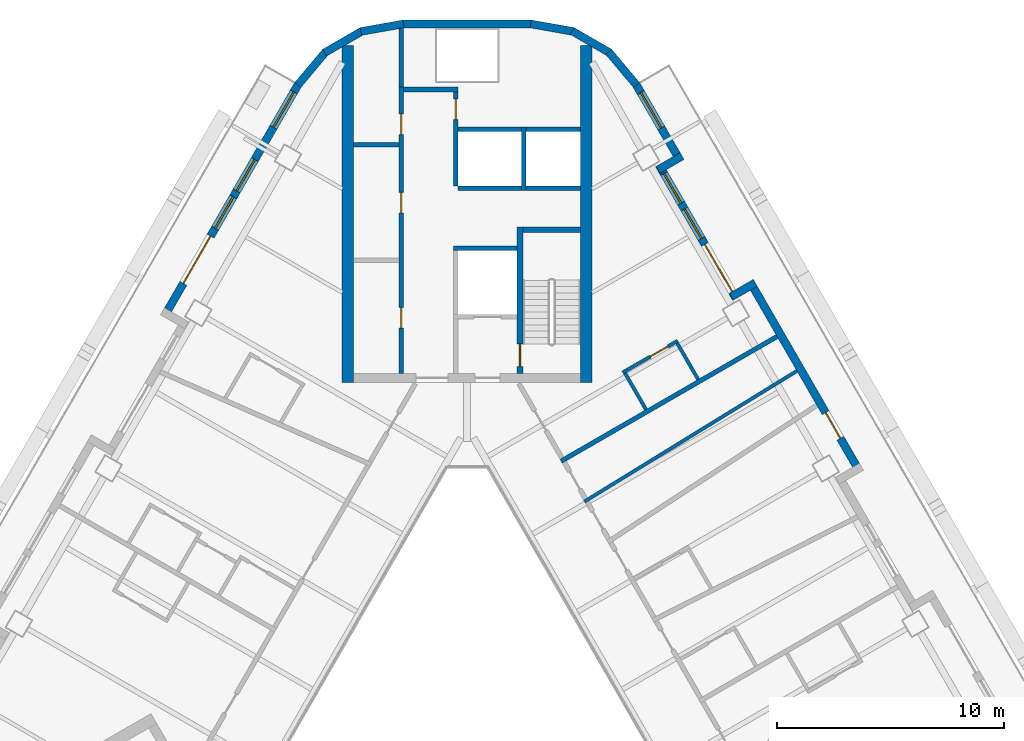
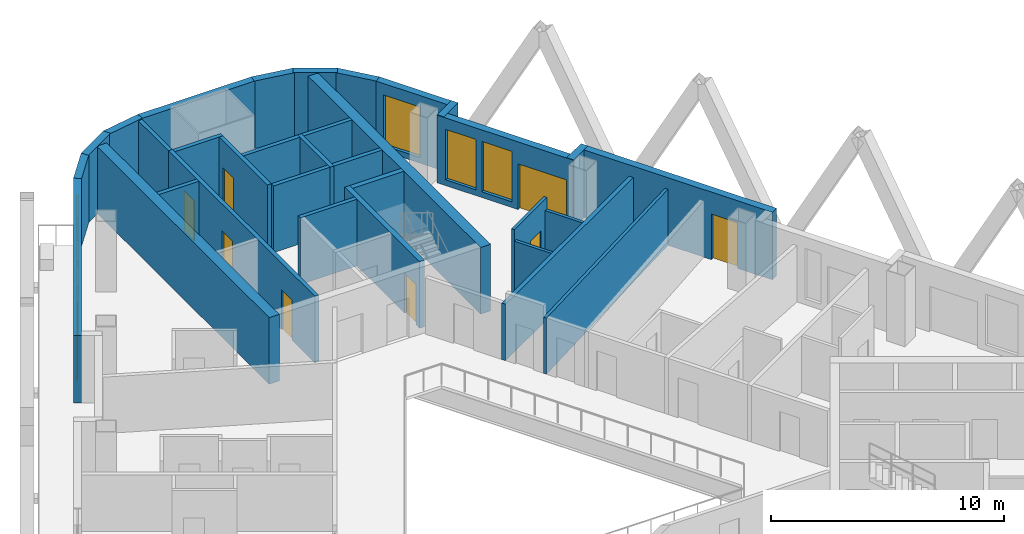
# One storey, part 7 of 14: 33 walls, 9 doors, 6 windows, 15 openings.
"""IFC4 building model written with IfcOpenShell, lengths in metres."""

from ifc_helpers import new_model, si_unit, direction, frame, frame_2d, origin, place, context, subcontext, project, spatial, rectangle, extrude, material, layer, layer_set, type_object, element, fill, save


model = new_model("IFC4")

# Units and contexts
model_context = context("Model", 3, precision=1e-05, world=origin(), true_north=direction((0.0, 1.0)))
body_context = subcontext(model_context, "Body", "Model", "MODEL_VIEW")
ifc_project = project(units=[si_unit("LENGTHUNIT", "METRE"), si_unit("AREAUNIT", "SQUARE_METRE"), si_unit("VOLUMEUNIT", "CUBIC_METRE"), si_unit("PLANEANGLEUNIT", "RADIAN"), si_unit("MASSUNIT", "GRAM", prefix="KILO")], contexts=[model_context])

# Site, building, storey
site_placement = place(None, origin())
site = spatial("IfcSite", under=ifc_project, at=site_placement, CompositionType="ELEMENT")
building_placement = place(site_placement, origin())
building = spatial("IfcBuilding", under=site, at=building_placement, Name="Apuvela Tower Hotel", CompositionType="ELEMENT")
storey_placement = place(building_placement, frame((0.0, 0.0, 120.5)))
storey = spatial("IfcBuildingStorey", under=building, at=storey_placement, Name="L28", CompositionType="ELEMENT", Elevation=120.5)

# Walls
ifc_material_1 = material(Name="Concrete C50/60", Category="concrete")
ifc_layer_1 = layer(ifc_material_1, 0.5)
ifc_layer_set_1 = layer_set([ifc_layer_1], Name="COR-WALL-CORE-500")
wall_type_1 = type_object("IfcWallType", Name="COR-WALL-CORE-500", PredefinedType="SHEAR", material=ifc_layer_set_1)
for number, where, z_axis, x_axis, name in (
    (1, (5.25, 12.89990234375, 0.0), (0.0, 0.0, 1.0), (0.0, 1.0, 0.0), "Core wall N"),
    (2, (-5.25, 12.89990234375, 0.0), (0.0, 0.0, 1.0), (0.0, 1.0, 0.0), "Core wall N"),
):
    element("IfcWall", number, at=place(storey_placement, frame(where, z_axis=z_axis, x_axis=x_axis)), inside=storey, type_object=wall_type_1, Name=name, PredefinedType="SHEAR", context=body_context, shape_type="SweptSolid", body=[
        extrude(rectangle(XDim=14.8369140625, YDim=0.5, at=frame_2d((7.41845703125, 0.0))), origin(), (0.0, 0.0, 1.0), 3.5),
    ])
ifc_material_2 = material(Name="Blockwork 200 mm plastered", Category="masonry")
ifc_layer_2 = layer(ifc_material_2, 0.199951171875)
ifc_layer_set_2 = layer_set([ifc_layer_2], Name="COR-WALL-PART-200")
wall_type_2 = type_object("IfcWallType", Name="COR-WALL-PART-200", PredefinedType="PARTITIONING", material=ifc_layer_set_2)
wall_1_placement = place(storey_placement, frame((5.0, 21.449951171875, 0.0), z_axis=(0.0, 0.0, 1.0), x_axis=(-1.0, 0.0, 0.0)))
element("IfcWall", 3, at=wall_1_placement, inside=storey, type_object=wall_type_2, Name="Partition N", PredefinedType="PARTITIONING", context=body_context, shape_type="SweptSolid", body=[
    extrude(rectangle(XDim=2.39990234375, YDim=0.199951171875, at=frame_2d((1.199951171875, 0.0))), origin(), (0.0, 0.0, 1.0), 3.5),
])
wall_2_placement = place(storey_placement, frame((2.39990234375, 21.449951171875, 0.0), z_axis=(0.0, 0.0, 1.0), x_axis=(-1.0, 0.0, 0.0)))
element("IfcWall", 4, at=wall_2_placement, inside=storey, type_object=wall_type_2, Name="Partition N", PredefinedType="PARTITIONING", context=body_context, shape_type="SweptSolid", body=[
    extrude(rectangle(XDim=2.7998046875, YDim=0.199951171875, at=frame_2d((1.39990234375, 0.0))), origin(), (0.0, 0.0, 1.0), 3.5),
])
ifc_layer_3 = layer(ifc_material_1, 0.199951171875)
ifc_layer_set_3 = layer_set([ifc_layer_3], Name="COR-WALL-SHAFT-200")
wall_type_3 = type_object("IfcWallType", Name="COR-WALL-SHAFT-200", PredefinedType="SHEAR", material=ifc_layer_set_3)
wall_3_placement = place(storey_placement, frame((2.199951171875, 18.800048828125, 0.0), z_axis=(0.0, 0.0, 1.0), x_axis=(-1.0, 0.0, 0.0)))
element("IfcWall", 5, at=wall_3_placement, inside=storey, type_object=wall_type_3, Name="Shaft wall N", PredefinedType="SHEAR", context=body_context, shape_type="SweptSolid", body=[
    extrude(rectangle(XDim=2.800048828125, YDim=0.199951171875, at=frame_2d((1.39990234375, 0.0))), origin(), (0.0, 0.0, 1.0), 3.5),
])

# Wall, openings, doors
wall_4_placement = place(storey_placement, frame((-2.89990234375, 13.300048828125, 0.0), z_axis=(0.0, 0.0, 1.0), x_axis=(0.0, 1.0, 0.0)))
wall_4 = element("IfcWall", 6, at=wall_4_placement, inside=storey, type_object=wall_type_3, Name="Shaft wall N", PredefinedType="SHEAR", context=body_context, shape_type="SweptSolid", body=[
    extrude(rectangle(XDim=12.599853515625, YDim=0.199951171875, at=frame_2d((6.2998046875, 0.0))), origin(), (0.0, 0.0, 1.0), 3.5),
])
opening_1_placement = place(wall_4_placement, frame((1.989990234375, 0.0, 0.0)))
opening_1 = element("IfcOpeningElement", 7, at=opening_1_placement, cuts=wall_4, Name="Opening N-RE1", PredefinedType="OPENING", context=body_context, shape_type="SweptSolid", body=[
    extrude(rectangle(XDim=0.89990234375, YDim=2.10009765625, at=frame_2d((0.449951171875, 1.050048828125))), frame((0.0, 0.10986328125, 0.0), z_axis=(0.0, -1.0, 0.0), x_axis=(1.0, 0.0, 0.0)), (0.0, 0.0, 1.0), 0.219970703125),
])
opening_2_placement = place(wall_4_placement, frame((7.070068359375, 0.0, 0.0)))
opening_2 = element("IfcOpeningElement", 8, at=opening_2_placement, cuts=wall_4, Name="Opening N-RE3", PredefinedType="OPENING", context=body_context, shape_type="SweptSolid", body=[
    extrude(rectangle(XDim=0.89990234375, YDim=2.10009765625, at=frame_2d((0.449951171875, 1.050048828125))), frame((0.0, 0.10986328125, 0.0), z_axis=(0.0, -1.0, 0.0), x_axis=(1.0, 0.0, 0.0)), (0.0, 0.0, 1.0), 0.219970703125),
])
opening_3_placement = place(wall_4_placement, frame((10.510009765625, 0.0, 0.0)))
opening_3 = element("IfcOpeningElement", 9, at=opening_3_placement, cuts=wall_4, Name="Opening N-REP", PredefinedType="OPENING", context=body_context, shape_type="SweptSolid", body=[
    extrude(rectangle(XDim=0.89990234375, YDim=2.10009765625, at=frame_2d((0.449951171875, 1.050048828125))), frame((0.0, 0.10986328125, 0.0), z_axis=(0.0, -1.0, 0.0), x_axis=(1.0, 0.0, 0.0)), (0.0, 0.0, 1.0), 0.219970703125),
])
ifc_material_3 = material(Name="Steel fire door, powder coated", Category="steel")
door_type_1 = type_object("IfcDoorType", Name="COR-DR-900", OperationType="NOTDEFINED", PredefinedType="DOOR", material=ifc_material_3)
door_1_placement = place(opening_1_placement, origin())
door_1 = element("IfcDoor", 10, at=door_1_placement, inside=storey, type_object=door_type_1, Name="Store door N-RE1", OperationType="SINGLE_SWING_LEFT", OverallHeight=2.10009765625, OverallWidth=0.89990234375, PredefinedType="DOOR", context=body_context, shape_type="SweptSolid", body=[
    extrude(rectangle(XDim=0.89990234375, YDim=2.10009765625, at=frame_2d((0.449951171875, 1.050048828125))), frame((0.0, 0.02490234375, 0.0), z_axis=(0.0, -1.0, 0.0), x_axis=(1.0, 0.0, 0.0)), (0.0, 0.0, 1.0), 0.050048828125),
])
fill(opening_1, door_1)
door_2_placement = place(opening_2_placement, origin())
door_2 = element("IfcDoor", 11, at=door_2_placement, inside=storey, type_object=door_type_1, Name="Store door N-RE3", OperationType="SINGLE_SWING_LEFT", OverallHeight=2.10009765625, OverallWidth=0.89990234375, PredefinedType="DOOR", context=body_context, shape_type="SweptSolid", body=[
    extrude(rectangle(XDim=0.89990234375, YDim=2.10009765625, at=frame_2d((0.449951171875, 1.050048828125))), frame((0.0, 0.02490234375, 0.0), z_axis=(0.0, -1.0, 0.0), x_axis=(1.0, 0.0, 0.0)), (0.0, 0.0, 1.0), 0.050048828125),
])
fill(opening_2, door_2)
door_3_placement = place(opening_3_placement, origin())
door_3 = element("IfcDoor", 12, at=door_3_placement, inside=storey, type_object=door_type_1, Name="Store door N-REP", OperationType="SINGLE_SWING_RIGHT", OverallHeight=2.10009765625, OverallWidth=0.89990234375, PredefinedType="DOOR", context=body_context, shape_type="SweptSolid", body=[
    extrude(rectangle(XDim=0.89990234375, YDim=2.10009765625, at=frame_2d((0.449951171875, 1.050048828125))), frame((0.0, 0.02490234375, 0.0), z_axis=(0.0, -1.0, 0.0), x_axis=(1.0, 0.0, 0.0)), (0.0, 0.0, 1.0), 0.050048828125),
])
fill(opening_3, door_3)

# Wall
wall_5_placement = place(storey_placement, frame((-0.39990234375, 25.800048828125, 0.0), z_axis=(0.0, 0.0, 1.0), x_axis=(-1.0, 0.0, 0.0)))
element("IfcWall", 13, at=wall_5_placement, inside=storey, type_object=wall_type_3, Name="Shaft wall N", PredefinedType="SHEAR", context=body_context, shape_type="SweptSolid", body=[
    extrude(rectangle(XDim=2.400146484375, YDim=0.199951171875, at=frame_2d((1.2001953125, 0.0))), origin(), (0.0, 0.0, 1.0), 3.5),
])

# Wall, opening, door
wall_6_placement = place(storey_placement, frame((-0.5, 21.550048828125, 0.0), z_axis=(0.0, 0.0, 1.0), x_axis=(0.0, 1.0, 0.0)))
wall_6 = element("IfcWall", 14, at=wall_6_placement, inside=storey, type_object=wall_type_3, Name="Shaft wall N", PredefinedType="SHEAR", context=body_context, shape_type="SweptSolid", body=[
    extrude(rectangle(XDim=4.14990234375, YDim=0.199951171875, at=frame_2d((2.074951171875, 0.0))), origin(), (0.0, 0.0, 1.0), 3.5),
])
opening_4_placement = place(wall_6_placement, frame((2.925048828125, 0.0, 0.0)))
opening_4 = element("IfcOpeningElement", 15, at=opening_4_placement, cuts=wall_6, Name="Opening N-RSP", PredefinedType="OPENING", context=body_context, shape_type="SweptSolid", body=[
    extrude(rectangle(XDim=0.89990234375, YDim=2.10009765625, at=frame_2d((0.449951171875, 1.050048828125))), frame((0.0, 0.10986328125, 0.0), z_axis=(0.0, -1.0, 0.0), x_axis=(1.0, 0.0, 0.0)), (0.0, 0.0, 1.0), 0.219970703125),
])
door_4_placement = place(opening_4_placement, frame((0.89990234375, 0.0, 0.0), z_axis=(0.0, 0.0, 1.0), x_axis=(-1.0, 0.0, 0.0)))
door_4 = element("IfcDoor", 16, at=door_4_placement, inside=storey, type_object=door_type_1, Name="Store door N-RSP", OperationType="SINGLE_SWING_LEFT", OverallHeight=2.10009765625, OverallWidth=0.89990234375, PredefinedType="DOOR", context=body_context, shape_type="SweptSolid", body=[
    extrude(rectangle(XDim=0.89990234375, YDim=2.10009765625, at=frame_2d((0.449951171875, 1.050048828125))), frame((0.0, 0.02490234375, 0.0), z_axis=(0.0, -1.0, 0.0), x_axis=(1.0, 0.0, 0.0)), (0.0, 0.0, 1.0), 0.050048828125),
])
fill(opening_4, door_4)

# Walls
wall_7_placement = place(storey_placement, frame((-3.0, 23.360107421875, 0.0), z_axis=(0.0, 0.0, 1.0), x_axis=(-1.0, 0.0, 0.0)))
element("IfcWall", 17, at=wall_7_placement, inside=storey, type_object=wall_type_3, Name="Shaft wall N", PredefinedType="SHEAR", context=body_context, shape_type="SweptSolid", body=[
    extrude(rectangle(XDim=2.0, YDim=0.199951171875, at=frame_2d((1.0, 0.0))), origin(), (0.0, 0.0, 1.0), 3.5),
])
wall_8_placement = place(storey_placement, frame((-2.89990234375, 25.89990234375, 0.0), z_axis=(0.0, 0.0, 1.0), x_axis=(0.0, 1.0, 0.0)))
element("IfcWall", 18, at=wall_8_placement, inside=storey, type_object=wall_type_3, Name="Shaft wall N", PredefinedType="SHEAR", context=body_context, shape_type="SweptSolid", body=[
    extrude(rectangle(XDim=2.60009765625, YDim=0.199951171875, at=frame_2d((1.300048828125, 0.0))), origin(), (0.0, 0.0, 1.0), 3.5),
])
wall_9_placement = place(storey_placement, frame((2.5, 21.35009765625, 0.0), z_axis=(0.0, 0.0, 1.0), x_axis=(0.0, 1.0, 0.0)))
element("IfcWall", 19, at=wall_9_placement, inside=storey, type_object=wall_type_3, Name="Shaft wall N", PredefinedType="SHEAR", context=body_context, shape_type="SweptSolid", body=[
    extrude(rectangle(XDim=2.7998046875, YDim=0.199951171875, at=frame_2d((1.39990234375, 0.0))), origin(), (0.0, 0.0, 1.0), 3.5),
])
wall_10_placement = place(storey_placement, frame((5.0, 24.050048828125, 0.0), z_axis=(0.0, 0.0, 1.0), x_axis=(-1.0, 0.0, 0.0)))
element("IfcWall", 20, at=wall_10_placement, inside=storey, type_object=wall_type_3, Name="Shaft wall N", PredefinedType="SHEAR", context=body_context, shape_type="SweptSolid", body=[
    extrude(rectangle(XDim=2.39990234375, YDim=0.199951171875, at=frame_2d((1.199951171875, 0.0))), origin(), (0.0, 0.0, 1.0), 3.5),
])
wall_11_placement = place(storey_placement, frame((2.39990234375, 24.050048828125, 0.0), z_axis=(0.0, 0.0, 1.0), x_axis=(-1.0, 0.0, 0.0)))
element("IfcWall", 21, at=wall_11_placement, inside=storey, type_object=wall_type_3, Name="Shaft wall N", PredefinedType="SHEAR", context=body_context, shape_type="SweptSolid", body=[
    extrude(rectangle(XDim=2.7998046875, YDim=0.199951171875, at=frame_2d((1.39990234375, 0.0))), origin(), (0.0, 0.0, 1.0), 3.5),
])

# Wall, opening, door
ifc_layer_4 = layer(ifc_material_1, 0.25)
ifc_layer_set_4 = layer_set([ifc_layer_4], Name="COR-WALL-STAIR-250")
wall_type_4 = type_object("IfcWallType", Name="COR-WALL-STAIR-250", PredefinedType="SHEAR", material=ifc_layer_set_4)
wall_12_placement = place(storey_placement, frame((2.324951171875, 13.300048828125, 0.0), z_axis=(0.0, 0.0, 1.0), x_axis=(0.0, 1.0, 0.0)))
wall_12 = element("IfcWall", 22, at=wall_12_placement, inside=storey, type_object=wall_type_4, Name="Stair wall N", PredefinedType="SHEAR", context=body_context, shape_type="SweptSolid", body=[
    extrude(rectangle(XDim=6.449951171875, YDim=0.25, at=frame_2d((3.22509765625, 0.0))), origin(), (0.0, 0.0, 1.0), 3.5),
])
opening_5_placement = place(wall_12_placement, frame((0.300048828125, 0.0, 0.0)))
opening_5 = element("IfcOpeningElement", 23, at=opening_5_placement, cuts=wall_12, Name="Opening N-SD", PredefinedType="OPENING", context=body_context, shape_type="SweptSolid", body=[
    extrude(rectangle(XDim=1.0, YDim=2.10009765625, at=frame_2d((0.5, 1.050048828125))), frame((0.0, 0.135009765625, 0.0), z_axis=(0.0, -1.0, 0.0), x_axis=(1.0, 0.0, 0.0)), (0.0, 0.0, 1.0), 0.27001953125),
])
door_type_2 = type_object("IfcDoorType", Name="COR-SD-1000", OperationType="NOTDEFINED", PredefinedType="DOOR", material=ifc_material_3)
door_5_placement = place(opening_5_placement, frame((1.0, 0.0, 0.0), z_axis=(0.0, 0.0, 1.0), x_axis=(-1.0, 0.0, 0.0)))
door_5 = element("IfcDoor", 24, at=door_5_placement, inside=storey, type_object=door_type_2, Name="Stair door N-SD", OperationType="SINGLE_SWING_LEFT", OverallHeight=2.10009765625, OverallWidth=1.0, PredefinedType="DOOR", context=body_context, shape_type="SweptSolid", body=[
    extrude(rectangle(XDim=1.0, YDim=2.10009765625, at=frame_2d((0.5, 1.050048828125))), frame((0.0, 0.02490234375, 0.0), z_axis=(0.0, -1.0, 0.0), x_axis=(1.0, 0.0, 0.0)), (0.0, 0.0, 1.0), 0.050048828125),
])
fill(opening_5, door_5)

# Wall
wall_13_placement = place(storey_placement, frame((5.0, 19.625, 0.0), z_axis=(0.0, 0.0, 1.0), x_axis=(-1.0, 0.0, 0.0)))
element("IfcWall", 25, at=wall_13_placement, inside=storey, type_object=wall_type_4, Name="Stair wall N", PredefinedType="SHEAR", context=body_context, shape_type="SweptSolid", body=[
    extrude(rectangle(XDim=2.550048828125, YDim=0.25, at=frame_2d((1.27490234375, 0.0))), origin(), (0.0, 0.0, 1.0), 3.5),
])

# Wall, openings, door, windows
ifc_material_4 = material(Name="Concrete C40/50, dark pigmented precast panel", Category="concrete")
ifc_layer_5 = layer(ifc_material_4, 0.35009765625)
ifc_layer_set_5 = layer_set([ifc_layer_5], Name="ENV-WALL-350")
wall_type_5 = type_object("IfcWallType", Name="ENV-WALL-350", PredefinedType="SOLIDWALL", material=ifc_layer_set_5)
wall_14_placement = place(storey_placement, frame((-7.440673828125, 26.0224609375, 0.0), z_axis=(0.0, 0.0, 1.0), x_axis=(-0.499992533062, -0.86602971478, 0.0)))
wall_14 = element("IfcWall", 26, at=wall_14_placement, inside=storey, type_object=wall_type_5, Name="External wall L28-01", PredefinedType="SOLIDWALL", context=body_context, shape_type="SweptSolid", body=[
    extrude(rectangle(XDim=11.815673828125, YDim=0.35009765625, at=frame_2d((5.90771484375, 0.0))), origin(), (0.0, 0.0, 1.0), 3.550048828125),
])
opening_6_placement = place(wall_14_placement, frame((0.381103515625, 0.0, 0.300048828125)))
opening_6 = element("IfcOpeningElement", 27, at=opening_6_placement, cuts=wall_14, Name="Opening WN18", PredefinedType="OPENING", context=body_context, shape_type="SweptSolid", body=[
    extrude(rectangle(XDim=1.800048828125, YDim=2.64990234375, at=frame_2d((0.89990234375, 1.324951171875))), frame((0.0, 0.18505859375, 0.0), z_axis=(0.0, -1.0, 0.0), x_axis=(1.0, 0.0, 0.0)), (0.0, 0.0, 1.0), 0.3701171875),
])
opening_7_placement = place(wall_14_placement, frame((7.7158203125, 0.0, 0.0)))
opening_7 = element("IfcOpeningElement", 28, at=opening_7_placement, cuts=wall_14, Name="Opening BD24", PredefinedType="OPENING", context=body_context, shape_type="SweptSolid", body=[
    extrude(rectangle(XDim=2.39990234375, YDim=2.39990234375, at=frame_2d((1.199951171875, 1.199951171875))), frame((0.0, 0.18505859375, 0.0), z_axis=(0.0, -1.0, 0.0), x_axis=(1.0, 0.0, 0.0)), (0.0, 0.0, 1.0), 0.3701171875),
])
opening_8_placement = place(wall_14_placement, frame((3.815185546875, 0.0, 0.300048828125)))
opening_8 = element("IfcOpeningElement", 29, at=opening_8_placement, cuts=wall_14, Name="Opening WN16", PredefinedType="OPENING", context=body_context, shape_type="SweptSolid", body=[
    extrude(rectangle(XDim=1.60009765625, YDim=2.64990234375, at=frame_2d((0.800048828125, 1.324951171875))), frame((0.0, 0.18505859375, 0.0), z_axis=(0.0, -1.0, 0.0), x_axis=(1.0, 0.0, 0.0)), (0.0, 0.0, 1.0), 0.3701171875),
])
opening_9_placement = place(wall_14_placement, frame((5.715087890625, 0.0, 0.300048828125)))
opening_9 = element("IfcOpeningElement", 30, at=opening_9_placement, cuts=wall_14, Name="Opening WN16", PredefinedType="OPENING", context=body_context, shape_type="SweptSolid", body=[
    extrude(rectangle(XDim=1.60009765625, YDim=2.64990234375, at=frame_2d((0.800048828125, 1.324951171875))), frame((0.0, 0.18505859375, 0.0), z_axis=(0.0, -1.0, 0.0), x_axis=(1.0, 0.0, 0.0)), (0.0, 0.0, 1.0), 0.3701171875),
])
ifc_material_5 = material(Name="Aluminium 6063-T6, dark bronze anodised frame with dark tinted laminated glass", Category="aluminium")
door_type_3 = type_object("IfcDoorType", Name="ENV-DOOR-BALCONY-2400x2400", OperationType="SLIDING_TO_LEFT", PredefinedType="DOOR", material=ifc_material_5)
door_6_placement = place(opening_7_placement, frame((2.39990234375, 0.0, 0.0), z_axis=(0.0, 0.0, 1.0), x_axis=(-1.0, 0.0, 0.0)))
door_6 = element("IfcDoor", 31, at=door_6_placement, inside=storey, type_object=door_type_3, Name="Balcony door BD24", OperationType="SLIDING_TO_LEFT", OverallHeight=2.39990234375, OverallWidth=2.39990234375, PredefinedType="DOOR", context=body_context, shape_type="SweptSolid", body=[
    extrude(rectangle(XDim=2.39990234375, YDim=2.39990234375, at=frame_2d((1.199951171875, 1.199951171875))), frame((0.0, 0.02490234375, 0.0), z_axis=(0.0, -1.0, 0.0), x_axis=(1.0, 0.0, 0.0)), (0.0, 0.0, 1.0), 0.050048828125),
])
fill(opening_7, door_6)
ifc_material_6 = material(Name="Glass, dark tinted laminated insulated glazing unit", Category="glass")
window_type_1 = type_object("IfcWindowType", Name="ENV-WIN-1600x2650", PartitioningType="SINGLE_PANEL", PredefinedType="WINDOW", material=ifc_material_6)
window_1_placement = place(opening_8_placement, origin())
window_1 = element("IfcWindow", 32, at=window_1_placement, inside=storey, type_object=window_type_1, Name="Window WN16", OverallHeight=2.64990234375, OverallWidth=1.60009765625, PartitioningType="SINGLE_PANEL", PredefinedType="WINDOW", context=body_context, shape_type="SweptSolid", body=[
    extrude(rectangle(XDim=1.60009765625, YDim=2.64990234375, at=frame_2d((0.800048828125, 1.324951171875))), frame((0.0, 0.030029296875, 0.0), z_axis=(0.0, -1.0, 0.0), x_axis=(1.0, 0.0, 0.0)), (0.0, 0.0, 1.0), 0.06005859375),
])
fill(opening_8, window_1)
window_2_placement = place(opening_9_placement, origin())
window_2 = element("IfcWindow", 33, at=window_2_placement, inside=storey, type_object=window_type_1, Name="Window WN16", OverallHeight=2.64990234375, OverallWidth=1.60009765625, PartitioningType="SINGLE_PANEL", PredefinedType="WINDOW", context=body_context, shape_type="SweptSolid", body=[
    extrude(rectangle(XDim=1.60009765625, YDim=2.64990234375, at=frame_2d((0.800048828125, 1.324951171875))), frame((0.0, 0.030029296875, 0.0), z_axis=(0.0, -1.0, 0.0), x_axis=(1.0, 0.0, 0.0)), (0.0, 0.0, 1.0), 0.06005859375),
])
fill(opening_9, window_2)
window_type_2 = type_object("IfcWindowType", Name="ENV-WIN-1800x2650", PartitioningType="SINGLE_PANEL", PredefinedType="WINDOW", material=ifc_material_6)
window_3_placement = place(opening_6_placement, origin())
window_3 = element("IfcWindow", 34, at=window_3_placement, inside=storey, type_object=window_type_2, Name="Window WN18", OverallHeight=2.64990234375, OverallWidth=1.800048828125, PartitioningType="SINGLE_PANEL", PredefinedType="WINDOW", context=body_context, shape_type="SweptSolid", body=[
    extrude(rectangle(XDim=1.800048828125, YDim=2.64990234375, at=frame_2d((0.89990234375, 1.324951171875))), frame((0.0, 0.030029296875, 0.0), z_axis=(0.0, -1.0, 0.0), x_axis=(1.0, 0.0, 0.0)), (0.0, 0.0, 1.0), 0.06005859375),
])
fill(opening_6, window_3)

# Wall, opening, door
wall_15_placement = place(storey_placement, frame((17.298583984375, 8.947998046875, 0.0), z_axis=(0.0, 0.0, 1.0), x_axis=(-0.500010041276, 0.866019606374, 0.0)))
wall_15 = element("IfcWall", 35, at=wall_15_placement, inside=storey, type_object=wall_type_5, Name="External wall L28-37", PredefinedType="SOLIDWALL", context=body_context, shape_type="SweptSolid", body=[
    extrude(rectangle(XDim=9.699951171875, YDim=0.35009765625, at=frame_2d((4.85009765625, 0.0))), origin(), (0.0, 0.0, 1.0), 3.550048828125),
])
opening_10_placement = place(wall_15_placement, frame((1.724609375, 0.0, 0.0)))
opening_10 = element("IfcOpeningElement", 36, at=opening_10_placement, cuts=wall_15, Name="Opening BD13", PredefinedType="OPENING", context=body_context, shape_type="SweptSolid", body=[
    extrude(rectangle(XDim=1.300048828125, YDim=2.39990234375, at=frame_2d((0.64990234375, 1.199951171875))), frame((0.0, 0.18505859375, 0.0), z_axis=(0.0, -1.0, 0.0), x_axis=(1.0, 0.0, 0.0)), (0.0, 0.0, 1.0), 0.3701171875),
])
door_type_4 = type_object("IfcDoorType", Name="ENV-DOOR-BALCONY-1300x2400", OperationType="SLIDING_TO_LEFT", PredefinedType="DOOR", material=ifc_material_5)
door_7_placement = place(opening_10_placement, frame((1.300048828125, 0.0, 0.0), z_axis=(0.0, 0.0, 1.0), x_axis=(-1.0, 0.0, 0.0)))
door_7 = element("IfcDoor", 37, at=door_7_placement, inside=storey, type_object=door_type_4, Name="Balcony door BD13", OperationType="SLIDING_TO_LEFT", OverallHeight=2.39990234375, OverallWidth=1.300048828125, PredefinedType="DOOR", context=body_context, shape_type="SweptSolid", body=[
    extrude(rectangle(XDim=1.300048828125, YDim=2.39990234375, at=frame_2d((0.64990234375, 1.199951171875))), frame((0.0, 0.02490234375, 0.0), z_axis=(0.0, -1.0, 0.0), x_axis=(1.0, 0.0, 0.0)), (0.0, 0.0, 1.0), 0.050048828125),
])
fill(opening_10, door_7)

# Wall
wall_16_placement = place(storey_placement, frame((12.6875, 17.284423828125, 0.0), z_axis=(0.0, 0.0, 1.0), x_axis=(-0.865955602162, -0.500120880472, 0.0)))
element("IfcWall", 38, at=wall_16_placement, inside=storey, type_object=wall_type_5, Name="External wall L28-38", PredefinedType="SOLIDWALL", context=body_context, shape_type="SweptSolid", body=[
    extrude(rectangle(XDim=1.219970703125, YDim=0.35009765625, at=frame_2d((0.60986328125, 0.0))), origin(), (0.0, 0.0, 1.0), 3.550048828125),
])

# Wall, openings, door, windows
wall_17_placement = place(storey_placement, frame((11.8291015625, 16.621337890625, 0.0), z_axis=(0.0, 0.0, 1.0), x_axis=(-0.500003597184, 0.866023326939, 0.0)))
wall_17 = element("IfcWall", 39, at=wall_17_placement, inside=storey, type_object=wall_type_5, Name="External wall L28-39", PredefinedType="SOLIDWALL", context=body_context, shape_type="SweptSolid", body=[
    extrude(rectangle(XDim=6.740234375, YDim=0.35009765625, at=frame_2d((3.3701171875, 0.0))), origin(), (0.0, 0.0, 1.0), 3.550048828125),
])
opening_11_placement = place(wall_17_placement, frame((0.320068359375, 0.0, 0.0)))
opening_11 = element("IfcOpeningElement", 40, at=opening_11_placement, cuts=wall_17, Name="Opening BD24", PredefinedType="OPENING", context=body_context, shape_type="SweptSolid", body=[
    extrude(rectangle(XDim=2.39990234375, YDim=2.39990234375, at=frame_2d((1.199951171875, 1.199951171875))), frame((0.0, 0.18505859375, 0.0), z_axis=(0.0, -1.0, 0.0), x_axis=(1.0, 0.0, 0.0)), (0.0, 0.0, 1.0), 0.3701171875),
])
opening_12_placement = place(wall_17_placement, frame((3.02001953125, 0.0, 0.300048828125)))
opening_12 = element("IfcOpeningElement", 41, at=opening_12_placement, cuts=wall_17, Name="Opening WN15", PredefinedType="OPENING", context=body_context, shape_type="SweptSolid", body=[
    extrude(rectangle(XDim=1.5, YDim=2.64990234375, at=frame_2d((0.75, 1.324951171875))), frame((0.0, 0.18505859375, 0.0), z_axis=(0.0, -1.0, 0.0), x_axis=(1.0, 0.0, 0.0)), (0.0, 0.0, 1.0), 0.3701171875),
])
opening_13_placement = place(wall_17_placement, frame((4.820068359375, 0.0, 0.300048828125)))
opening_13 = element("IfcOpeningElement", 42, at=opening_13_placement, cuts=wall_17, Name="Opening WN15", PredefinedType="OPENING", context=body_context, shape_type="SweptSolid", body=[
    extrude(rectangle(XDim=1.5, YDim=2.64990234375, at=frame_2d((0.75, 1.324951171875))), frame((0.0, 0.18505859375, 0.0), z_axis=(0.0, -1.0, 0.0), x_axis=(1.0, 0.0, 0.0)), (0.0, 0.0, 1.0), 0.3701171875),
])
door_8_placement = place(opening_11_placement, frame((2.39990234375, 0.0, 0.0), z_axis=(0.0, 0.0, 1.0), x_axis=(-1.0, 0.0, 0.0)))
door_8 = element("IfcDoor", 43, at=door_8_placement, inside=storey, type_object=door_type_3, Name="Balcony door BD24", OperationType="SLIDING_TO_LEFT", OverallHeight=2.39990234375, OverallWidth=2.39990234375, PredefinedType="DOOR", context=body_context, shape_type="SweptSolid", body=[
    extrude(rectangle(XDim=2.39990234375, YDim=2.39990234375, at=frame_2d((1.199951171875, 1.199951171875))), frame((0.0, 0.02490234375, 0.0), z_axis=(0.0, -1.0, 0.0), x_axis=(1.0, 0.0, 0.0)), (0.0, 0.0, 1.0), 0.050048828125),
])
fill(opening_11, door_8)
window_type_3 = type_object("IfcWindowType", Name="ENV-WIN-1500x2650", PartitioningType="SINGLE_PANEL", PredefinedType="WINDOW", material=ifc_material_6)
window_4_placement = place(opening_12_placement, origin())
window_4 = element("IfcWindow", 44, at=window_4_placement, inside=storey, type_object=window_type_3, Name="Window WN15", OverallHeight=2.64990234375, OverallWidth=1.5, PartitioningType="SINGLE_PANEL", PredefinedType="WINDOW", context=body_context, shape_type="SweptSolid", body=[
    extrude(rectangle(XDim=1.5, YDim=2.64990234375, at=frame_2d((0.75, 1.324951171875))), frame((0.0, 0.030029296875, 0.0), z_axis=(0.0, -1.0, 0.0), x_axis=(1.0, 0.0, 0.0)), (0.0, 0.0, 1.0), 0.06005859375),
])
fill(opening_12, window_4)
window_5_placement = place(opening_13_placement, origin())
window_5 = element("IfcWindow", 45, at=window_5_placement, inside=storey, type_object=window_type_3, Name="Window WN15", OverallHeight=2.64990234375, OverallWidth=1.5, PartitioningType="SINGLE_PANEL", PredefinedType="WINDOW", context=body_context, shape_type="SweptSolid", body=[
    extrude(rectangle(XDim=1.5, YDim=2.64990234375, at=frame_2d((0.75, 1.324951171875))), frame((0.0, 0.030029296875, 0.0), z_axis=(0.0, -1.0, 0.0), x_axis=(1.0, 0.0, 0.0)), (0.0, 0.0, 1.0), 0.06005859375),
])
fill(opening_13, window_5)

# Wall
wall_18_placement = place(storey_placement, frame((8.406005859375, 22.26025390625, 0.0), z_axis=(0.0, 0.0, 1.0), x_axis=(0.865955602162, 0.500120880472, 0.0)))
element("IfcWall", 46, at=wall_18_placement, inside=storey, type_object=wall_type_5, Name="External wall L28-40", PredefinedType="SOLIDWALL", context=body_context, shape_type="SweptSolid", body=[
    extrude(rectangle(XDim=1.219970703125, YDim=0.35009765625, at=frame_2d((0.60986328125, 0.0))), origin(), (0.0, 0.0, 1.0), 3.550048828125),
])

# Wall, opening, window
wall_19_placement = place(storey_placement, frame((9.3984375, 22.631103515625, 0.0), z_axis=(0.0, 0.0, 1.0), x_axis=(-0.499954521343, 0.866051659307, 0.0)))
wall_19 = element("IfcWall", 47, at=wall_19_placement, inside=storey, type_object=wall_type_5, Name="External wall L28-41", PredefinedType="SOLIDWALL", context=body_context, shape_type="SweptSolid", body=[
    extrude(rectangle(XDim=3.915771484375, YDim=0.35009765625, at=frame_2d((1.9580078125, 0.0))), origin(), (0.0, 0.0, 1.0), 3.550048828125),
])
opening_14_placement = place(wall_19_placement, frame((1.69970703125, 0.0, 0.300048828125)))
opening_14 = element("IfcOpeningElement", 48, at=opening_14_placement, cuts=wall_19, Name="Opening WN18", PredefinedType="OPENING", context=body_context, shape_type="SweptSolid", body=[
    extrude(rectangle(XDim=1.800048828125, YDim=2.64990234375, at=frame_2d((0.89990234375, 1.324951171875))), frame((0.0, 0.18505859375, 0.0), z_axis=(0.0, -1.0, 0.0), x_axis=(1.0, 0.0, 0.0)), (0.0, 0.0, 1.0), 0.3701171875),
])
window_6_placement = place(opening_14_placement, origin())
window_6 = element("IfcWindow", 49, at=window_6_placement, inside=storey, type_object=window_type_2, Name="Window WN18", OverallHeight=2.64990234375, OverallWidth=1.800048828125, PartitioningType="SINGLE_PANEL", PredefinedType="WINDOW", context=body_context, shape_type="SweptSolid", body=[
    extrude(rectangle(XDim=1.800048828125, YDim=2.64990234375, at=frame_2d((0.89990234375, 1.324951171875))), frame((0.0, 0.030029296875, 0.0), z_axis=(0.0, -1.0, 0.0), x_axis=(1.0, 0.0, 0.0)), (0.0, 0.0, 1.0), 0.06005859375),
])
fill(opening_14, window_6)

# Walls
wall_20_placement = place(storey_placement, frame((7.4580078125, 25.99755859375, 0.0), z_axis=(0.0, 0.0, 1.0), x_axis=(-0.642808304945, 0.766027077259, 0.0)))
element("IfcWall", 50, at=wall_20_placement, inside=storey, type_object=wall_type_5, Name="External wall L28-42", PredefinedType="SOLIDWALL", context=body_context, shape_type="SweptSolid", body=[
    extrude(rectangle(XDim=1.909912109375, YDim=0.35009765625, at=frame_2d((0.955078125, 0.0))), origin(), (0.0, 0.0, 1.0), 3.550048828125),
])
for number, where, z_axis, x_axis, name in (
    (51, (6.27685546875, 27.421630859375, 0.0), (0.0, 0.0, 1.0), (-0.866032345022, 0.499987977232, 0.0), "External wall L28-43"),
    (52, (4.6796875, 28.35595703125, 0.0), (0.0, 0.0, 1.0), (-0.984798995425, 0.173697837091, 0.0), "External wall L28-44"),
):
    element("IfcWall", number, at=place(storey_placement, frame(where, z_axis=z_axis, x_axis=x_axis)), inside=storey, type_object=wall_type_5, Name=name, PredefinedType="SOLIDWALL", context=body_context, shape_type="SweptSolid", body=[
        extrude(rectangle(XDim=1.91015625, YDim=0.35009765625, at=frame_2d((0.955078125, 0.0))), origin(), (0.0, 0.0, 1.0), 3.550048828125),
    ])
wall_21_placement = place(storey_placement, frame((2.8291015625, 28.68505859375, 0.0), z_axis=(0.0, 0.0, 1.0), x_axis=(-1.0, 0.0, 0.0)))
element("IfcWall", 53, at=wall_21_placement, inside=storey, type_object=wall_type_5, Name="External wall L28-45", PredefinedType="SOLIDWALL", context=body_context, shape_type="SweptSolid", body=[
    extrude(rectangle(XDim=5.658203125, YDim=0.35009765625, at=frame_2d((2.8291015625, 0.0))), origin(), (0.0, 0.0, 1.0), 3.550048828125),
])
for number, where, z_axis, x_axis, name in (
    (54, (-2.798583984375, 28.687744140625, 0.0), (0.0, 0.0, 1.0), (-0.984798995425, -0.173697837091, 0.0), "External wall L28-46"),
    (55, (-4.62255859375, 28.376708984375, 0.0), (0.0, 0.0, 1.0), (-0.866032345022, -0.499987977232, 0.0), "External wall L28-47"),
):
    element("IfcWall", number, at=place(storey_placement, frame(where, z_axis=z_axis, x_axis=x_axis)), inside=storey, type_object=wall_type_5, Name=name, PredefinedType="SOLIDWALL", context=body_context, shape_type="SweptSolid", body=[
        extrude(rectangle(XDim=1.91015625, YDim=0.35009765625, at=frame_2d((0.955078125, 0.0))), origin(), (0.0, 0.0, 1.0), 3.550048828125),
    ])
wall_22_placement = place(storey_placement, frame((-6.230224609375, 27.460693359375, 0.0), z_axis=(0.0, 0.0, 1.0), x_axis=(-0.642808304945, -0.766027077259, 0.0)))
element("IfcWall", 56, at=wall_22_placement, inside=storey, type_object=wall_type_5, Name="External wall L28-48", PredefinedType="SOLIDWALL", context=body_context, shape_type="SweptSolid", body=[
    extrude(rectangle(XDim=1.909912109375, YDim=0.35009765625, at=frame_2d((0.955078125, 0.0))), origin(), (0.0, 0.0, 1.0), 3.550048828125),
])
ifc_material_7 = material(Name="Gypsum board partition on twin steel stud", Category="steel")
ifc_layer_6 = layer(ifc_material_7, 0.199951171875)
ifc_layer_set_6 = layer_set([ifc_layer_6], Name="GST-PW1")
wall_type_6 = type_object("IfcWallType", Name="GST-PW1", PredefinedType="PARTITIONING", material=ifc_layer_set_6)
wall_23_placement = place(storey_placement, frame((13.64697265625, 14.9228515625, 0.0), z_axis=(0.0, 0.0, 1.0), x_axis=(-0.866027479907, -0.499996404033, 0.0)))
element("IfcWall", 57, at=wall_23_placement, inside=storey, type_object=wall_type_6, Name="L28 partition 06", PredefinedType="PARTITIONING", context=body_context, shape_type="SweptSolid", body=[
    extrude(rectangle(XDim=10.97998046875, YDim=0.199951171875, at=frame_2d((5.489990234375, 0.0))), origin(), (0.0, 0.0, 1.0), 2.9599609375),
])
ifc_material_8 = material(Name="Moisture-resistant gypsum board wet wall on steel stud", Category="steel")
ifc_layer_7 = layer(ifc_material_8, 0.14990234375)
ifc_layer_set_7 = layer_set([ifc_layer_7], Name="GST-PW3")
wall_type_7 = type_object("IfcWallType", Name="GST-PW3", PredefinedType="PARTITIONING", material=ifc_layer_set_7)
wall_24_placement = place(storey_placement, frame((14.52197265625, 13.4072265625, 0.0), z_axis=(0.0, 0.0, 1.0), x_axis=(-0.851781158383, -0.523897755506, 0.0)))
element("IfcWall", 58, at=wall_24_placement, inside=storey, type_object=wall_type_7, Name="L28 partition 30", PredefinedType="PARTITIONING", context=body_context, shape_type="SweptSolid", body=[
    extrude(rectangle(XDim=10.984375, YDim=0.14990234375, at=frame_2d((5.4921875, 0.0))), origin(), (0.0, 0.0, 1.0), 2.949951171875),
])

# Wall, opening, door
wall_25_placement = place(storey_placement, frame((9.2744140625, 14.736572265625, 0.0), z_axis=(0.0, 0.0, 1.0), x_axis=(-0.866018616679, -0.500011755427, 0.0)))
wall_25 = element("IfcWall", 59, at=wall_25_placement, inside=storey, type_object=wall_type_7, Name="L28 partition 34", PredefinedType="PARTITIONING", context=body_context, shape_type="SweptSolid", body=[
    extrude(rectangle(XDim=2.80029296875, YDim=0.14990234375, at=frame_2d((1.400146484375, 0.0))), origin(), (0.0, 0.0, 1.0), 3.550048828125),
])
opening_15_placement = place(wall_25_placement, frame((0.5, 0.0, 0.0)))
opening_15 = element("IfcOpeningElement", 60, at=opening_15_placement, cuts=wall_25, Name="Opening GD10-15", PredefinedType="OPENING", context=body_context, shape_type="SweptSolid", body=[
    extrude(rectangle(XDim=0.89990234375, YDim=2.10009765625, at=frame_2d((0.449951171875, 1.050048828125))), frame((0.0, 0.0849609375, 0.0), z_axis=(0.0, -1.0, 0.0), x_axis=(1.0, 0.0, 0.0)), (0.0, 0.0, 1.0), 0.169921875),
])
ifc_material_9 = material(Name="Timber door leaf in steel frame", Category="steel")
door_type_5 = type_object("IfcDoorType", Name="GST-D2", OperationType="NOTDEFINED", PredefinedType="DOOR", material=ifc_material_9)
door_9_placement = place(opening_15_placement, origin())
door_9 = element("IfcDoor", 61, at=door_9_placement, inside=storey, type_object=door_type_5, Name="Door L28-15", OperationType="SINGLE_SWING_LEFT", OverallHeight=2.10009765625, OverallWidth=0.89990234375, PredefinedType="DOOR", context=body_context, shape_type="SweptSolid", body=[
    extrude(rectangle(XDim=0.89990234375, YDim=2.10009765625, at=frame_2d((0.449951171875, 1.050048828125))), frame((0.0, 0.02490234375, 0.0), z_axis=(0.0, -1.0, 0.0), x_axis=(1.0, 0.0, 0.0)), (0.0, 0.0, 1.0), 0.050048828125),
])
fill(opening_15, door_9)

# Walls
wall_26_placement = place(storey_placement, frame((10.171875, 13.031982421875, 0.0), z_axis=(0.0, 0.0, 1.0), x_axis=(-0.500042316284, 0.866000971088, 0.0)))
element("IfcWall", 62, at=wall_26_placement, inside=storey, type_object=wall_type_7, Name="L28 partition 35", PredefinedType="PARTITIONING", context=body_context, shape_type="SweptSolid", body=[
    extrude(rectangle(XDim=1.849853515625, YDim=0.14990234375, at=frame_2d((0.9248046875, 0.0))), origin(), (0.0, 0.0, 1.0), 2.949951171875),
])
wall_27_placement = place(storey_placement, frame((7.876953125, 11.706787109375, 0.0), z_axis=(0.0, 0.0, 1.0), x_axis=(-0.499985172903, 0.866033964044, 0.0)))
element("IfcWall", 63, at=wall_27_placement, inside=storey, type_object=wall_type_7, Name="L28 partition 36", PredefinedType="PARTITIONING", context=body_context, shape_type="SweptSolid", body=[
    extrude(rectangle(XDim=1.85009765625, YDim=0.14990234375, at=frame_2d((0.925048828125, 0.0))), origin(), (0.0, 0.0, 1.0), 2.949951171875),
])

save(model, "model.ifc")
